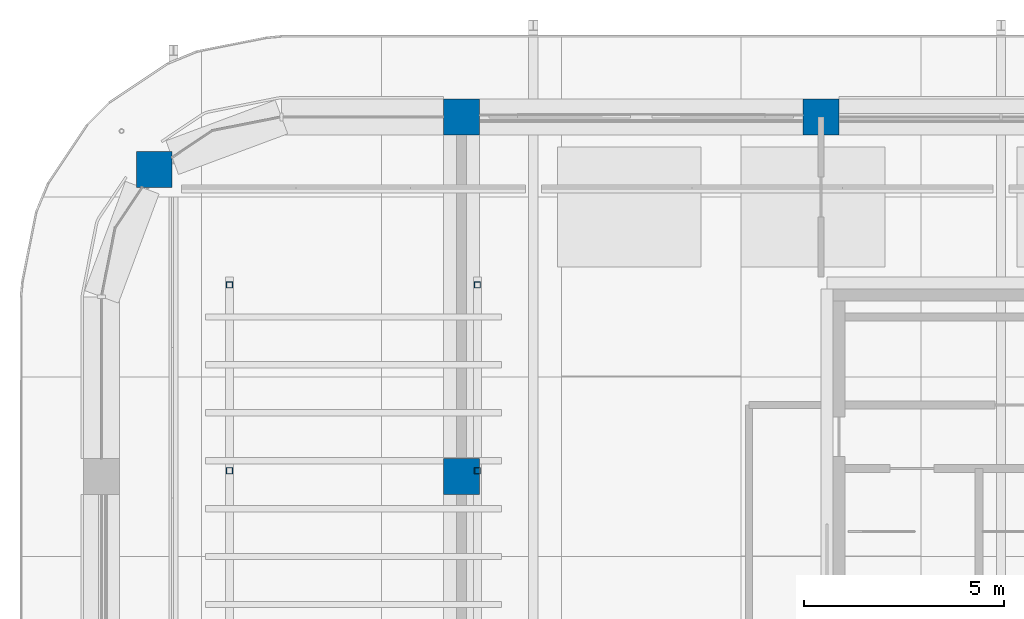
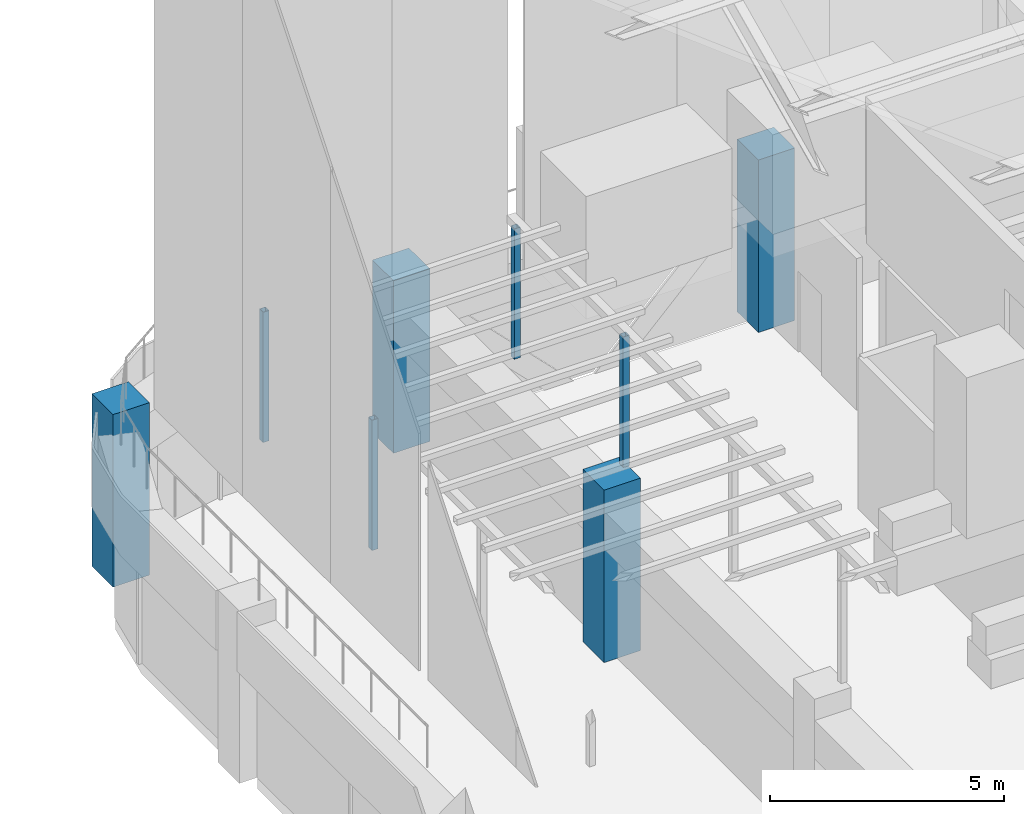
# One storey, part 3 of 31: 8 columns.
"""IFC4 building model written with IfcOpenShell, lengths in metres."""

from ifc_helpers import new_model, si_unit, direction, frame, origin, origin_2d, place, context, subcontext, project, spatial, rectangle, hollow_rectangle, extrude, material, material_profile, profile_set, type_object, element, save


model = new_model("IFC4")

# Units and contexts
model_context = context("Model", 3, precision=1e-05, world=origin(), true_north=direction((0.0, 1.0)))
body_context = subcontext(model_context, "Body", "Model", "MODEL_VIEW")
ifc_project = project(units=[si_unit("LENGTHUNIT", "METRE"), si_unit("AREAUNIT", "SQUARE_METRE"), si_unit("VOLUMEUNIT", "CUBIC_METRE"), si_unit("PLANEANGLEUNIT", "RADIAN"), si_unit("MASSUNIT", "GRAM", prefix="KILO")], contexts=[model_context])

# Site, building, storey
site_placement = place(None, origin())
site = spatial("IfcSite", under=ifc_project, at=site_placement, CompositionType="ELEMENT")
building_placement = place(site_placement, origin())
building = spatial("IfcBuilding", under=site, at=building_placement, Name="Tessera Arch", CompositionType="ELEMENT")
storey_placement = place(building_placement, frame((0.0, 0.0, 320.699951171875)))
storey = spatial("IfcBuildingStorey", under=building, at=storey_placement, Name="L77", CompositionType="ELEMENT", Elevation=320.699951171875)

# Columns
ifc_material_1 = material(Name="Steel A500 Gr C", Category="steel")
ifc_material_profile_1 = material_profile(ifc_material_1, hollow_rectangle(XDim=0.15234375, YDim=0.15234375, WallThickness=0.005859375, at=origin_2d()), Name="HSS6x6x1/4")
ifc_profile_set_1 = profile_set([ifc_material_profile_1], Name="Steel A500 Gr C")
column_type_1 = type_object("IfcColumnType", Name="Pergola post HSS6x6x1/4", PredefinedType="COLUMN", material=ifc_profile_set_1)
for number, where, z_axis, x_axis, name in (
    (1, (21.199951171875, 45.14990234375, 4.5), (0.0, 0.0, 1.0), (1.0, 0.0, 0.0), "Pergola post 4"),
    (2, (21.199951171875, 49.800048828125, 4.5), (0.0, 0.0, 1.0), (1.0, 0.0, 0.0), "Pergola post 5"),
    (3, (27.39990234375, 45.14990234375, 4.5), (0.0, 0.0, 1.0), (1.0, 0.0, 0.0), "Pergola post 9"),
    (4, (27.39990234375, 49.800048828125, 4.5), (0.0, 0.0, 1.0), (1.0, 0.0, 0.0), "Pergola post 10"),
):
    element("IfcColumn", number, at=place(storey_placement, frame(where, z_axis=z_axis, x_axis=x_axis)), inside=storey, type_object=column_type_1, Name=name, PredefinedType="COLUMN", context=body_context, shape_type="SweptSolid", body=[
        extrude(hollow_rectangle(XDim=0.15234375, YDim=0.15234375, WallThickness=0.005859375, at=origin_2d()), origin(), (0.0, 0.0, 1.0), 3.400146484375),
    ])
ifc_material_2 = material(Name="Concrete C50/60", Category="concrete")
ifc_material_profile_2 = material_profile(ifc_material_2, rectangle(XDim=0.89990234375, YDim=0.89990234375, at=origin_2d()), Name="RC column 900 x 900 Concrete C50/60")
ifc_profile_set_2 = profile_set([ifc_material_profile_2], Name="Concrete C50/60")
column_type_2 = type_object("IfcColumnType", Name="RC column 900 x 900 Concrete C50/60", PredefinedType="COLUMN", material=ifc_profile_set_2)
for number, where, z_axis, x_axis, name in (
    (5, (19.318115234375, 52.681884765625, 0.0), (0.0, 0.0, 1.0), (1.0, 0.0, 0.0), "Column C3G L77"),
    (6, (27.0, 45.0, 0.0), (0.0, 0.0, 1.0), (1.0, 0.0, 0.0), "Column C4F L77"),
    (7, (27.0, 54.0, 0.0), (0.0, 0.0, 1.0), (1.0, 0.0, 0.0), "Column C4G L77"),
    (8, (36.0, 54.0, 0.0), (0.0, 0.0, 1.0), (1.0, 0.0, 0.0), "Column C5G L77"),
):
    element("IfcColumn", number, at=place(storey_placement, frame(where, z_axis=z_axis, x_axis=x_axis)), inside=storey, type_object=column_type_2, Name=name, PredefinedType="COLUMN", context=body_context, shape_type="SweptSolid", body=[
        extrude(rectangle(XDim=0.89990234375, YDim=0.89990234375, at=origin_2d()), origin(), (0.0, 0.0, 1.0), 4.5),
    ])

save(model, "model.ifc")
